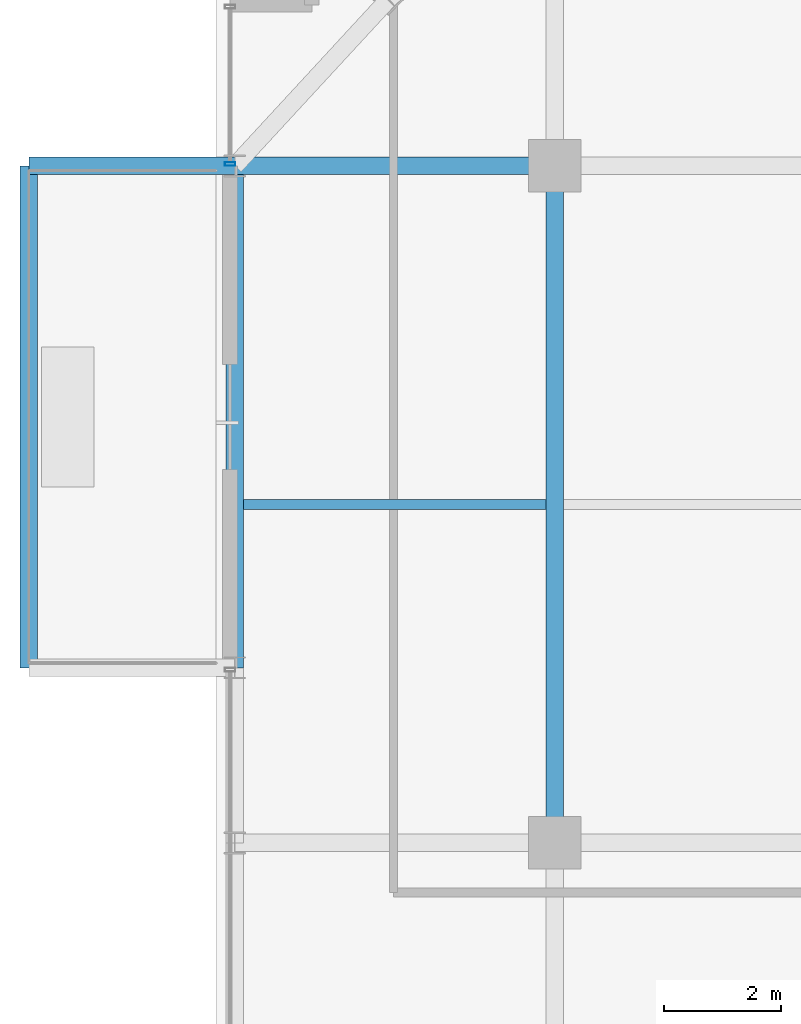
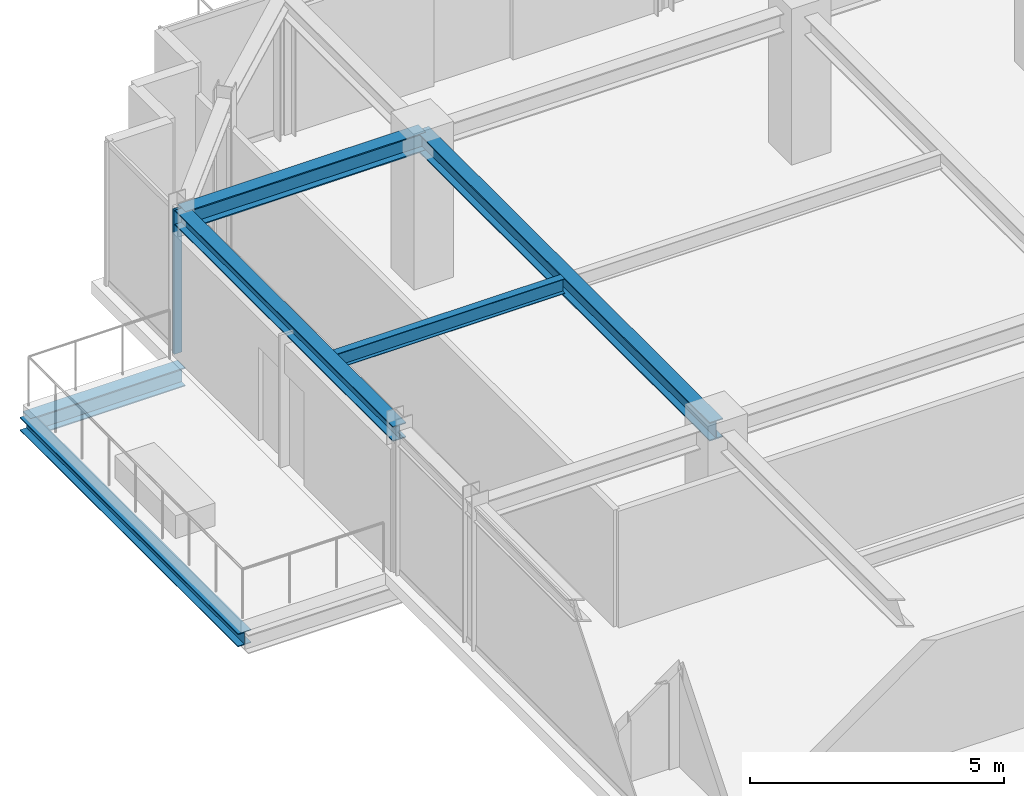
# One storey, part 17 of 34: 6 beams, 1 member, 1 element without a shape of its own.
"""IFC4 building model written with IfcOpenShell, lengths in metres."""

from ifc_helpers import new_model, si_unit, direction, frame, origin, origin_2d, place, context, subcontext, project, spatial, hollow_rectangle, i_section, extrude, source, transform, mapped, material, material_profile, profile_set, type_object, element, aggregate, save


model = new_model("IFC4")

# Units and contexts
model_context = context("Model", 3, precision=1e-05, world=origin(), true_north=direction((0.0, 1.0)))
body_context = subcontext(model_context, "Body", "Model", "MODEL_VIEW")
ifc_project = project(units=[si_unit("LENGTHUNIT", "METRE"), si_unit("AREAUNIT", "SQUARE_METRE"), si_unit("VOLUMEUNIT", "CUBIC_METRE"), si_unit("PLANEANGLEUNIT", "RADIAN"), si_unit("MASSUNIT", "GRAM", prefix="KILO")], contexts=[model_context])

# Site, building, storey
site_placement = place(None, origin())
site = spatial("IfcSite", under=ifc_project, at=site_placement, CompositionType="ELEMENT")
building_placement = place(site_placement, origin())
building = spatial("IfcBuilding", under=site, at=building_placement, Name="Nahalor Promenade Grand Hotel", CompositionType="ELEMENT")
storey_placement = place(building_placement, frame((0.0, 0.0, 334.75)))
storey = spatial("IfcBuildingStorey", under=building, at=storey_placement, Name="L86", CompositionType="ELEMENT", Elevation=334.75)

# Beams
ifc_material_1 = material(Name="Steel S355JR", Category="steel")
ifc_material_profile_1 = material_profile(ifc_material_1, i_section(OverallWidth=0.3, OverallDepth=0.32, WebThickness=0.0115, FlangeThickness=0.0205, at=origin_2d()), Name="HEB 320")
ifc_profile_set_1 = profile_set([ifc_material_profile_1], Name="Steel S355JR")
beam_type_1 = type_object("IfcBeamType", Name="Beam-BalcEdge-HEB320", PredefinedType="SPANDREL", material=ifc_profile_set_1)
shared_shape_1 = source(origin(), body_context, "Body", "SweptSolid", [
    extrude(i_section(OverallWidth=0.3, OverallDepth=0.32, WebThickness=0.0115, FlangeThickness=0.0205, at=origin_2d()), origin(), (0.0, 0.0, 1.0), 8.60009765625),
])
beam_1_placement = place(storey_placement, frame((-26.010009765625, 8.39990234375, -0.43994140625), z_axis=(0.0, 1.0, 0.0), x_axis=(-1.0, 0.0, 0.0)))
element("IfcBeam", 1, at=beam_1_placement, inside=storey, type_object=beam_type_1, Name="BM-L86-BC-02-F", PredefinedType="SPANDREL", context=body_context, shape_type="MappedRepresentation", body=[
    mapped(shared_shape_1, transform((0.0, 0.0, 0.0), scale=1.0)),
])
ifc_material_profile_2 = material_profile(ifc_material_1, i_section(OverallWidth=0.3, OverallDepth=0.45, WebThickness=0.014, FlangeThickness=0.026, at=origin_2d()), Name="HEB 450")
ifc_profile_set_2 = profile_set([ifc_material_profile_2], Name="Steel S355JR")
beam_type_2 = type_object("IfcBeamType", Name="Beam-Outrigger-HEB450", PredefinedType="BEAM", material=ifc_profile_set_2)
shared_shape_2 = source(origin(), body_context, "Body", "SweptSolid", [
    extrude(i_section(OverallWidth=0.3, OverallDepth=0.45, WebThickness=0.014, FlangeThickness=0.026, at=origin_2d()), origin(), (0.0, 0.0, 1.0), 3.530029296875),
])
beam_2_placement = place(storey_placement, frame((-26.010009765625, 17.0, -0.5048828125), z_axis=(1.0, 0.0, 0.0), x_axis=(0.0, 1.0, 0.0)))
element("IfcBeam", 2, at=beam_2_placement, inside=storey, type_object=beam_type_2, Name="BM-L86-BC-02-2", PredefinedType="BEAM", context=body_context, shape_type="MappedRepresentation", body=[
    mapped(shared_shape_2, transform((0.0, 0.0, 0.0), scale=1.0)),
])
ifc_material_profile_3 = material_profile(ifc_material_1, i_section(OverallWidth=0.3, OverallDepth=0.45, WebThickness=0.014, FlangeThickness=0.026, at=origin_2d()), Name="HEB 450")
ifc_profile_set_3 = profile_set([ifc_material_profile_3], Name="Steel S355JR")
beam_type_3 = type_object("IfcBeamType", Name="Beam-Girder-HEB450", PredefinedType="BEAM", material=ifc_profile_set_3)
shared_shape_3 = source(origin(), body_context, "Body", "SweptSolid", [
    extrude(i_section(OverallWidth=0.3, OverallDepth=0.45, WebThickness=0.014, FlangeThickness=0.026, at=origin_2d()), origin(), (0.0, 0.0, 1.0), 11.60009765625),
])
beam_3_placement = place(storey_placement, frame((-17.0, 5.39990234375, 3.2451171875), z_axis=(0.0, 1.0, 0.0), x_axis=(-1.0, 0.0, 0.0)))
element("IfcBeam", 3, at=beam_3_placement, inside=storey, type_object=beam_type_3, Name="BM-L86-GY-0-3", PredefinedType="BEAM", context=body_context, shape_type="MappedRepresentation", body=[
    mapped(shared_shape_3, transform((0.0, 0.0, 0.0), scale=1.0)),
])
shared_shape_4 = source(origin(), body_context, "Body", "SweptSolid", [
    extrude(i_section(OverallWidth=0.3, OverallDepth=0.45, WebThickness=0.014, FlangeThickness=0.026, at=origin_2d()), origin(), (0.0, 0.0, 1.0), 5.47998046875),
])
beam_4_placement = place(storey_placement, frame((-22.47998046875, 17.0, 3.2451171875), z_axis=(1.0, 0.0, 0.0), x_axis=(0.0, 1.0, 0.0)))
element("IfcBeam", 4, at=beam_4_placement, inside=storey, type_object=beam_type_3, Name="BM-L86-GX-3-0", PredefinedType="BEAM", context=body_context, shape_type="MappedRepresentation", body=[
    mapped(shared_shape_4, transform((0.0, 0.0, 0.0), scale=1.0)),
])
ifc_material_profile_4 = material_profile(ifc_material_1, i_section(OverallWidth=0.3, OverallDepth=0.36, WebThickness=0.0125, FlangeThickness=0.0225, at=origin_2d()), Name="HEB 360")
ifc_profile_set_4 = profile_set([ifc_material_profile_4], Name="Steel S355JR")
beam_type_4 = type_object("IfcBeamType", Name="Beam-Spandrel-HEB360", PredefinedType="SPANDREL", material=ifc_profile_set_4)
shared_shape_5 = source(origin(), body_context, "Body", "SweptSolid", [
    extrude(i_section(OverallWidth=0.3, OverallDepth=0.36, WebThickness=0.0125, FlangeThickness=0.0225, at=origin_2d()), origin(), (0.0, 0.0, 1.0), 8.60009765625),
])
beam_5_placement = place(storey_placement, frame((-22.47998046875, 8.39990234375, 3.2900390625), z_axis=(0.0, 1.0, 0.0), x_axis=(-1.0, 0.0, 0.0)))
element("IfcBeam", 5, at=beam_5_placement, inside=storey, type_object=beam_type_4, Name="BM-L86-SP-W-4", PredefinedType="SPANDREL", context=body_context, shape_type="MappedRepresentation", body=[
    mapped(shared_shape_5, transform((0.0, 0.0, 0.0), scale=1.0)),
])
ifc_material_profile_5 = material_profile(ifc_material_1, i_section(OverallWidth=0.17, OverallDepth=0.36, WebThickness=0.008, FlangeThickness=0.0127, at=origin_2d()), Name="IPE 360")
ifc_profile_set_5 = profile_set([ifc_material_profile_5], Name="Steel S355JR")
beam_type_5 = type_object("IfcBeamType", Name="Beam-Joist-IPE360", PredefinedType="JOIST", material=ifc_profile_set_5)
shared_shape_6 = source(origin(), body_context, "Body", "SweptSolid", [
    extrude(i_section(OverallWidth=0.17, OverallDepth=0.36, WebThickness=0.008, FlangeThickness=0.0127, at=origin_2d()), origin(), (0.0, 0.0, 1.0), 5.18017578125),
])
beam_6_placement = place(storey_placement, frame((-22.330078125, 11.199951171875, 3.2900390625), z_axis=(1.0, 0.0, 0.0), x_axis=(0.0, 1.0, 0.0)))
element("IfcBeam", 6, at=beam_6_placement, inside=storey, type_object=beam_type_5, Name="BM-L86-JSW-1-0", PredefinedType="JOIST", context=body_context, shape_type="MappedRepresentation", body=[
    mapped(shared_shape_6, transform((0.0, 0.0, 0.0), scale=1.0)),
])

# Curtain wall, member
ifc_material_2 = material(Name="Anodised Bronze Aluminium EN AW-6063 T6", Category="aluminium")
curtain_wall_type = type_object("IfcCurtainWallType", Name="CW2 Typical Hotel Flush Bronze Unitised Curtain Wall", PredefinedType="USERDEFINED", material=ifc_material_2)
curtain_wall_placement = place(storey_placement, origin())
curtain_wall = element("IfcCurtainWall", 7, at=curtain_wall_placement, inside=storey, type_object=curtain_wall_type, Name="L86 Curtain Wall CW-L86-W-3", ObjectType="UNITISED_CURTAIN_WALL", PredefinedType="USERDEFINED")
ifc_material_profile_6 = material_profile(ifc_material_2, hollow_rectangle(XDim=0.065, YDim=0.18, WallThickness=0.004, at=origin_2d()), Name="CWM 65x180x4")
ifc_profile_set_6 = profile_set([ifc_material_profile_6], Name="Anodised Bronze Aluminium EN AW-6063 T6")
member_type = type_object("IfcMemberType", Name="CWM2 Typical Bronze Mullion 65x180", PredefinedType="MULLION", material=ifc_profile_set_6)
shared_shape_7 = source(origin(), body_context, "Body", "SweptSolid", [
    extrude(hollow_rectangle(XDim=0.065, YDim=0.18, WallThickness=0.004, at=origin_2d()), origin(), (0.0, 0.0, 1.0), 3.469970703125),
])
member_placement = place(storey_placement, frame((-22.56005859375, 17.032470703125, 0.0), z_axis=(0.0, 0.0, 1.0), x_axis=(0.0, 1.0, 0.0)))
member = element("IfcMember", 8, at=member_placement, type_object=member_type, Name="CW-L86-W-3 Mullion 0", PredefinedType="MULLION", context=body_context, shape_type="MappedRepresentation", body=[
    mapped(shared_shape_7, transform((0.0, 0.0, 0.0), scale=1.0)),
])
aggregate(curtain_wall, [member])

save(model, "model.ifc")
